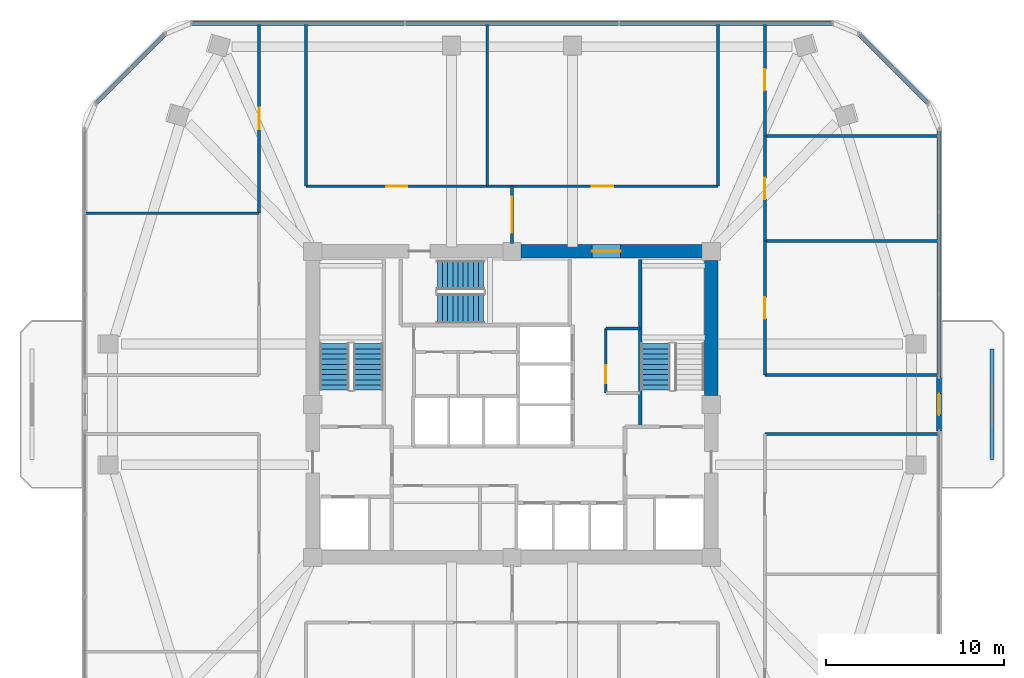
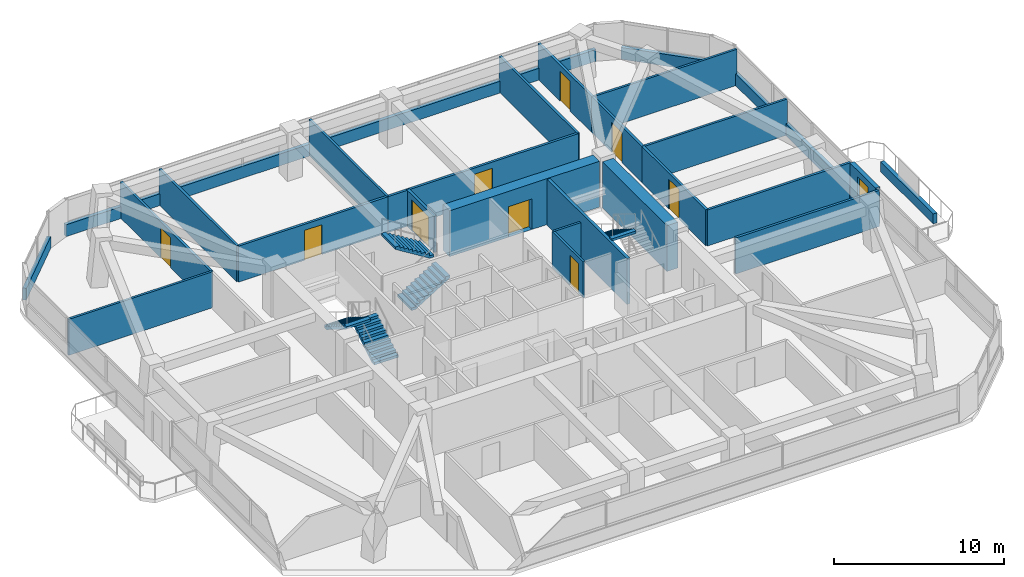
# One storey, part 11 of 14: 26 walls, 10 doors, 5 stair flights, 10 openings, 3 elements without a shape of their own.
"""IFC4 building model written with IfcOpenShell, lengths in metres."""

import ifcopenshell
import ifcopenshell.guid

model = None  # the IFC model being written
_history = None  # IfcOwnerHistory: only IFC2X3 demands one
_inside = {}  # id of a spatial element -> (the spatial element, [elements in it])
_under = {}  # id of a project, library or spatial element -> (it, [spatial elements below it])
_declared = {}  # id of a project -> (the project, [libraries it declares])
_typed = {}  # id of a type object -> (the type object, [elements of that type])
_made_of = {}  # id of a material, layer set ... -> (it, [elements and type objects made of it])


def new_model(schema):
    """Start an empty IFC model of exactly this schema.

    Asked for "IFC4X3", IfcOpenShell would pick the latest addendum, in which some entities
    have other attributes; the version numbers below select the first issue.
    IFC2X3 requires an IfcOwnerHistory on every rooted entity: one is made here for all.
    """
    global model, _history
    if schema == "IFC4X3":
        model = ifcopenshell.file(schema_version=(4, 3, 0, 0))
    else:
        model = ifcopenshell.file(schema=schema)
    _inside.clear()
    _under.clear()
    _declared.clear()
    _typed.clear()
    _made_of.clear()
    _history = None
    if model.schema == "IFC2X3":
        org = make("IfcOrganization", Name="unknown")
        user = make(
            "IfcPersonAndOrganization",
            ThePerson=make("IfcPerson", FamilyName="unknown"),
            TheOrganization=org,
        )
        app = make(
            "IfcApplication",
            ApplicationDeveloper=org,
            Version="unknown",
            ApplicationFullName="unknown",
            ApplicationIdentifier="unknown",
        )
        _history = make(
            "IfcOwnerHistory",
            OwningUser=user,
            OwningApplication=app,
            ChangeAction="ADDED",
            CreationDate=0,
        )
    return model


def make(cls, **values):
    """One entity of the class cls with the attributes given. An attribute that is None is left unset."""
    return model.create_entity(
        cls, **{name: value for name, value in values.items() if value is not None}
    )


def rooted(cls, **values):
    """An entity with a GlobalId (a new one), such as an element, a storey or a relation."""
    return make(cls, GlobalId=ifcopenshell.guid.new(), OwnerHistory=_history, **values)


def si_unit(unit_type, name, prefix=None):
    """IfcSIUnit, for example si_unit("LENGTHUNIT", "METRE", prefix="MILLI")."""
    return make("IfcSIUnit", UnitType=unit_type, Prefix=prefix, Name=name)


def derived_unit(unit_type, elements):
    """IfcDerivedUnit: a product of units, each with its exponent."""
    return make(
        "IfcDerivedUnit",
        Elements=[
            make("IfcDerivedUnitElement", Unit=unit, Exponent=power)
            for unit, power in elements
        ],
        UnitType=unit_type,
    )


def assignment(units):
    """IfcUnitAssignment: the units of a project."""
    return None if units is None else make("IfcUnitAssignment", Units=units)


def point(xyz):
    """IfcCartesianPoint."""
    return None if xyz is None else make("IfcCartesianPoint", Coordinates=xyz)


def direction(xyz):
    """IfcDirection."""
    return None if xyz is None else make("IfcDirection", DirectionRatios=xyz)


def frame(location, z_axis=None, x_axis=None):
    """IfcAxis2Placement3D, a coordinate frame: its origin and axes. An axis left out is left unset."""
    return make(
        "IfcAxis2Placement3D",
        Location=point(location),
        Axis=direction(z_axis),
        RefDirection=direction(x_axis),
    )


def frame_2d(location, x_axis=None):
    """IfcAxis2Placement2D, a coordinate frame in the plane: its origin and x axis."""
    return make(
        "IfcAxis2Placement2D", Location=point(location), RefDirection=direction(x_axis)
    )


def origin():
    """The frame at (0, 0, 0) with its axes left unset."""
    return frame((0.0, 0.0, 0.0))


def place(relative_to, where):
    """IfcLocalPlacement: puts the frame where relative to a parent placement (None: the world)."""
    return make(
        "IfcLocalPlacement", PlacementRelTo=relative_to, RelativePlacement=where
    )


def context(
    kind, dimensions, precision=None, world=None, true_north=None, identifier=None
):
    """IfcGeometricRepresentationContext, for example the 3D "Model" context."""
    return make(
        "IfcGeometricRepresentationContext",
        ContextIdentifier=identifier,
        ContextType=kind,
        CoordinateSpaceDimension=dimensions,
        Precision=precision,
        WorldCoordinateSystem=world,
        TrueNorth=true_north,
    )


def subcontext(parent, identifier, kind, view, scale=None):
    """IfcGeometricRepresentationSubContext, for example "Body" below "Model"."""
    return make(
        "IfcGeometricRepresentationSubContext",
        ContextIdentifier=identifier,
        ContextType=kind,
        ParentContext=parent,
        TargetScale=scale,
        TargetView=view,
    )


def project(units=None, contexts=None):
    """IfcProject with its units and contexts."""
    return rooted(
        "IfcProject",
        Name="project",
        RepresentationContexts=contexts,
        UnitsInContext=assignment(units),
    )


def spatial(cls, under=None, at=None, **own):
    """A site, building, storey or space (cls), placed at a placement, below another one or the project."""
    s = rooted(cls, ObjectPlacement=at, **own)
    if under is not None:
        _under.setdefault(under.id(), (under, []))[1].append(s)
    return s


def polyline(points):
    """IfcPolyline through the points."""
    return make("IfcPolyline", Points=[point(p) for p in points])


def profile(cls, at=None, kind="AREA", **sizes):
    """A parametric profile (cls). Its sizes go by their IFC names, for example OverallWidth=200.0."""
    return make(cls, ProfileType=kind, Position=at, **sizes)


def rectangle(**sizes):
    """IfcRectangleProfileDef."""
    return profile("IfcRectangleProfileDef", **sizes)


def outline(outer, holes=None, kind="AREA"):
    """IfcArbitraryClosedProfileDef: a profile drawn as a closed curve; with holes, ...WithVoids."""
    if holes is None:
        return make("IfcArbitraryClosedProfileDef", ProfileType=kind, OuterCurve=outer)
    return make(
        "IfcArbitraryProfileDefWithVoids",
        ProfileType=kind,
        OuterCurve=outer,
        InnerCurves=holes,
    )


def extrude(swept, where, along, depth):
    """IfcExtrudedAreaSolid: the profile swept, set in the frame where, extruded along a direction by depth."""
    return make(
        "IfcExtrudedAreaSolid",
        SweptArea=swept,
        Position=where,
        ExtrudedDirection=direction(along),
        Depth=depth,
    )


def shape(context_of_items, identifier, shape_type, items):
    """IfcShapeRepresentation: the items that make up one representation, for example the "Body"."""
    return make(
        "IfcShapeRepresentation",
        ContextOfItems=context_of_items,
        RepresentationIdentifier=identifier,
        RepresentationType=shape_type,
        Items=items,
    )


def material(Name=None, Category=None):
    """IfcMaterial."""
    return make("IfcMaterial", Name=Name, Category=Category)


def layer(
    of_material, thickness, ventilated=None, Name=None, Category=None, Priority=None
):
    """IfcMaterialLayer: one layer of a wall or slab, of a material (None: an air gap)."""
    return make(
        "IfcMaterialLayer",
        Material=of_material,
        LayerThickness=thickness,
        IsVentilated=ventilated,
        Name=Name,
        Category=Category,
        Priority=Priority,
    )


def layer_set(layers, Name=None):
    """IfcMaterialLayerSet."""
    return make("IfcMaterialLayerSet", MaterialLayers=layers, LayerSetName=Name)


def made_of(thing, what):
    """Note that an element or type object is made of a material, layer set ...; save() writes the relation."""
    if what is not None:
        _made_of.setdefault(what.id(), (what, []))[1].append(thing)
    return thing


def type_object(cls, material=None, **own):
    """A type object (cls), such as IfcWallType, which elements share."""
    return made_of(rooted(cls, **own), material)


def element(
    cls,
    number,
    at=None,
    inside=None,
    cuts=None,
    type_object=None,
    material=None,
    context=None,
    identifier="Body",
    shape_type=None,
    held_by="IfcProductDefinitionShape",
    body=None,
    shapes=None,
    **own,
):
    """One element of the class cls, such as IfcWall. Its Tag is "e" and its number.

    at: its placement. inside: the storey or other place that contains it. cuts: it is an
    opening in that element (IfcRelVoidsElement). A single representation is given by context,
    identifier, shape_type and body (its items); several are given by shapes. held_by: the class
    of the entity that holds the representations. save() writes the other relations.
    """
    e = rooted(cls, Tag="e%d" % number, ObjectPlacement=at, **own)
    if body is not None:
        shapes = [shape(context, identifier, shape_type, body)]
    if shapes is not None:
        e.Representation = make(held_by, Representations=shapes)
    if inside is not None:
        _inside.setdefault(inside.id(), (inside, []))[1].append(e)
    if cuts is not None:
        rooted(
            "IfcRelVoidsElement", RelatingBuildingElement=cuts, RelatedOpeningElement=e
        )
    if type_object is not None:
        _typed.setdefault(type_object.id(), (type_object, []))[1].append(e)
    return made_of(e, material)


def fill(opening, filler):
    """IfcRelFillsElement: the door or window that sits in an opening."""
    return rooted(
        "IfcRelFillsElement",
        RelatingOpeningElement=opening,
        RelatedBuildingElement=filler,
    )


def aggregate(whole, parts):
    """IfcRelAggregates: a whole, such as a stair, and the parts it consists of."""
    return rooted("IfcRelAggregates", RelatingObject=whole, RelatedObjects=parts)


def save(model, path):
    """Write the relations noted so far, then the file.

    IfcRelAggregates (storeys below a building ...), IfcRelContainedInSpatialStructure (elements
    in a storey), IfcRelDefinesByType, IfcRelAssociatesMaterial and IfcRelDeclares: one each for
    every whole, place, type object, material and project.
    """
    for whole, parts in _under.values():
        aggregate(whole, parts)
    for where, things in _inside.values():
        rooted(
            "IfcRelContainedInSpatialStructure",
            RelatedElements=things,
            RelatingStructure=where,
        )
    for kind, things in _typed.values():
        rooted("IfcRelDefinesByType", RelatedObjects=things, RelatingType=kind)
    for what, things in _made_of.values():
        rooted("IfcRelAssociatesMaterial", RelatedObjects=things, RelatingMaterial=what)
    for by, libraries in _declared.values():
        rooted("IfcRelDeclares", RelatingContext=by, RelatedDefinitions=libraries)
    model.write(path)


model = new_model("IFC4")

# Units and contexts
model_context = context("Model", 3, precision=1e-05, world=origin(), true_north=direction((0.0, 1.0)))
body_context = subcontext(model_context, "Body", "Model", "MODEL_VIEW")
ifc_project = project(units=[si_unit("LENGTHUNIT", "METRE"), si_unit("AREAUNIT", "SQUARE_METRE"), si_unit("VOLUMEUNIT", "CUBIC_METRE"), si_unit("PLANEANGLEUNIT", "RADIAN"), si_unit("MASSUNIT", "GRAM", prefix="KILO"), derived_unit("THERMALTRANSMITTANCEUNIT", [(si_unit("POWERUNIT", "WATT"), 1), (si_unit("LENGTHUNIT", "METRE"), -2), (si_unit("THERMODYNAMICTEMPERATUREUNIT", "KELVIN"), -1)])], contexts=[model_context])

# Site, building, storey
site_placement = place(None, origin())
site = spatial("IfcSite", under=ifc_project, at=site_placement, CompositionType="ELEMENT")
building_placement = place(site_placement, origin())
building = spatial("IfcBuilding", under=site, at=building_placement, Name="Koralith Skygarden Medical Center", CompositionType="ELEMENT")
storey_placement = place(building_placement, frame((0.0, 0.0, 120.780029296875)))
storey = spatial("IfcBuildingStorey", under=building, at=storey_placement, Name="L31", CompositionType="ELEMENT", Elevation=120.780029296875)

# Wall, opening, door
ifc_material_1 = material(Name="Gypsum Board Partition")
ifc_layer_1 = layer(ifc_material_1, 0.14990234375)
ifc_layer_set_1 = layer_set([ifc_layer_1], Name="Gypsum Board Partition")
wall_type_1 = type_object("IfcWallType", Name="Clinical Acoustic Partition 150", PredefinedType="PARTITIONING", material=ifc_layer_set_1)
wall_1_placement = place(storey_placement, frame((42.27001953125, 26.5400390625, 0.0), z_axis=(0.0, 0.0, 1.0), x_axis=(0.0, 1.0, 0.0)))
wall_1 = element("IfcWall", 1, at=wall_1_placement, inside=storey, type_object=wall_type_1, Name="L31 Clinical Acoustic Partition 150 W-CORE-L31-ESUB-W", PredefinedType="PARTITIONING", context=body_context, shape_type="SweptSolid", body=[
    extrude(rectangle(XDim=3.619873046875, YDim=0.14990234375, at=frame_2d((1.81005859375, 0.0))), origin(), (0.0, 0.0, 1.0), 2.590087890625),
])
opening_1_placement = place(wall_1_placement, frame((0.550048828125, 0.0, 0.0)))
opening_1 = element("IfcOpeningElement", 2, at=opening_1_placement, cuts=wall_1, Name="Opening D-SUP", PredefinedType="OPENING", context=body_context, shape_type="SweptSolid", body=[
    extrude(rectangle(XDim=1.0, YDim=2.14990234375, at=frame_2d((0.5, 1.074951171875))), frame((0.0, 0.0849609375, 0.0), z_axis=(0.0, -1.0, 0.0), x_axis=(1.0, 0.0, 0.0)), (0.0, 0.0, 1.0), 0.169921875),
])
ifc_material_2 = material(Name="Aluminium 6063-T6", Category="aluminium")
door_type_1 = type_object("IfcDoorType", Name="Clinical Support Door D-SUP 1000", OperationType="NOTDEFINED", PredefinedType="DOOR", material=ifc_material_2)
door_1_placement = place(opening_1_placement, origin())
door_1 = element("IfcDoor", 3, at=door_1_placement, inside=storey, type_object=door_type_1, Name="L31 Core Equipment Store Door", OperationType="SINGLE_SWING_LEFT", OverallHeight=2.14990234375, OverallWidth=1.0, PredefinedType="DOOR", context=body_context, shape_type="SweptSolid", body=[
    extrude(rectangle(XDim=1.0, YDim=2.14990234375, at=frame_2d((0.5, 1.074951171875))), frame((0.0, 0.02490234375, 0.0), z_axis=(0.0, -1.0, 0.0), x_axis=(1.0, 0.0, 0.0)), (0.0, 0.0, 1.0), 0.050048828125),
])
fill(opening_1, door_1)

# Walls
wall_2_placement = place(storey_placement, frame((42.27001953125, 30.159912109375, 0.0), z_axis=(0.0, 0.0, 1.0), x_axis=(1.0, 0.0, 0.0)))
element("IfcWall", 4, at=wall_2_placement, inside=storey, type_object=wall_type_1, Name="L31 Clinical Acoustic Partition 150 W-CORE-L31-ESUB-N", PredefinedType="PARTITIONING", context=body_context, shape_type="SweptSolid", body=[
    extrude(rectangle(XDim=1.929931640625, YDim=0.14990234375, at=frame_2d((0.96484375, 0.0))), origin(), (0.0, 0.0, 1.0), 2.590087890625),
])
wall_3_placement = place(storey_placement, frame((35.613037109375, 38.159912109375, 0.0), z_axis=(0.0, 0.0, 1.0), x_axis=(0.0, 1.0, 0.0)))
element("IfcWall", 5, at=wall_3_placement, inside=storey, type_object=wall_type_1, Name="L31 Clinical Acoustic Partition 150 W-PART-L31-N-01", PredefinedType="PARTITIONING", context=body_context, shape_type="SweptSolid", body=[
    extrude(rectangle(XDim=9.14306640625, YDim=0.14990234375, at=frame_2d((4.571533203125, 0.0))), origin(), (0.0, 0.0, 1.0), 2.590087890625),
])
for number, where, z_axis, x_axis, name in (
    (6, (22.7900390625, 36.64208984375, 0.0), (0.0, 0.0, 1.0), (-1.0, 0.0, 0.0), "L31 Clinical Acoustic Partition 150 W-PART-L31-WN-01"),
    (7, (51.2099609375, 35.077880859375, 0.0), (0.0, 0.0, 1.0), (1.0, 0.0, 0.0), "L31 Clinical Acoustic Partition 150 W-PART-L31-EN-01"),
    (8, (51.2099609375, 40.985107421875, 0.0), (0.0, 0.0, 1.0), (1.0, 0.0, 0.0), "L31 Clinical Acoustic Partition 150 W-PART-L31-EN-02"),
):
    element("IfcWall", number, at=place(storey_placement, frame(where, z_axis=z_axis, x_axis=x_axis)), inside=storey, type_object=wall_type_1, Name=name, PredefinedType="PARTITIONING", context=body_context, shape_type="SweptSolid", body=[
        extrude(rectangle(XDim=9.77001953125, YDim=0.14990234375, at=frame_2d((4.885009765625, 0.0))), origin(), (0.0, 0.0, 1.0), 2.590087890625),
    ])
ifc_layer_2 = layer(ifc_material_1, 0.1650390625)
ifc_layer_set_2 = layer_set([ifc_layer_2], Name="Gypsum Board Partition")
wall_type_2 = type_object("IfcWallType", Name="Clinical Corridor Partition 165", PredefinedType="PARTITIONING", material=ifc_layer_set_2)
for number, where, z_axis, x_axis, name in (
    (9, (25.429931640625, 38.159912109375, 0.0), (0.0, 0.0, 1.0), (0.0, 1.0, 0.0), "L31 Clinical Corridor Partition 165 W-HCOR-L31-NW"),
    (10, (48.570068359375, 38.159912109375, 0.0), (0.0, 0.0, 1.0), (0.0, 1.0, 0.0), "L31 Clinical Corridor Partition 165 W-HCOR-L31-NE"),
):
    element("IfcWall", number, at=place(storey_placement, frame(where, z_axis=z_axis, x_axis=x_axis)), inside=storey, type_object=wall_type_2, Name=name, PredefinedType="PARTITIONING", context=body_context, shape_type="SweptSolid", body=[
        extrude(rectangle(XDim=9.14306640625, YDim=0.1650390625, at=frame_2d((4.571533203125, 0.0))), origin(), (0.0, 0.0, 1.0), 2.590087890625),
    ])
for number, where, z_axis, x_axis, name in (
    (11, (51.2099609375, 24.239990234375, 0.0), (0.0, 0.0, 1.0), (1.0, 0.0, 0.0), "L31 Clinical Corridor Partition 165 W-HCOR-L31-EWS-E"),
    (12, (51.2099609375, 27.56005859375, 0.0), (0.0, 0.0, 1.0), (1.0, 0.0, 0.0), "L31 Clinical Corridor Partition 165 W-HCOR-L31-EWN-E"),
):
    element("IfcWall", number, at=place(storey_placement, frame(where, z_axis=z_axis, x_axis=x_axis)), inside=storey, type_object=wall_type_2, Name=name, PredefinedType="PARTITIONING", context=body_context, shape_type="SweptSolid", body=[
        extrude(rectangle(XDim=9.77001953125, YDim=0.1650390625, at=frame_2d((4.885009765625, 0.0))), origin(), (0.0, 0.0, 1.0), 2.590087890625),
    ])

# Wall, opening, door
wall_4_placement = place(storey_placement, frame((25.429931640625, 38.159912109375, 0.0), z_axis=(0.0, 0.0, 1.0), x_axis=(1.0, 0.0, 0.0)))
wall_4 = element("IfcWall", 13, at=wall_4_placement, inside=storey, type_object=wall_type_2, Name="L31 Clinical Corridor Partition 165 W-CORR-L31-N-01", PredefinedType="PARTITIONING", context=body_context, shape_type="SweptSolid", body=[
    extrude(rectangle(XDim=10.18310546875, YDim=0.1650390625, at=frame_2d((5.091552734375, 0.0))), origin(), (0.0, 0.0, 1.0), 2.590087890625),
])
opening_2_placement = place(wall_4_placement, frame((4.491943359375, 0.0, 0.0)))
opening_2 = element("IfcOpeningElement", 14, at=opening_2_placement, cuts=wall_4, Name="Opening D-CLN", PredefinedType="OPENING", context=body_context, shape_type="SweptSolid", body=[
    extrude(rectangle(XDim=1.199951171875, YDim=2.14990234375, at=frame_2d((0.60009765625, 1.074951171875))), frame((0.0, 0.092529296875, 0.0), z_axis=(0.0, -1.0, 0.0), x_axis=(1.0, 0.0, 0.0)), (0.0, 0.0, 1.0), 0.18505859375),
])
door_type_2 = type_object("IfcDoorType", Name="Clinical Corridor Door D-CLN 1200", OperationType="NOTDEFINED", PredefinedType="DOOR", material=ifc_material_2)
door_2_placement = place(opening_2_placement, origin())
door_2 = element("IfcDoor", 15, at=door_2_placement, inside=storey, type_object=door_type_2, Name="L31 Telemedicine Consult Office 01 Door", OperationType="SINGLE_SWING_RIGHT", OverallHeight=2.14990234375, OverallWidth=1.199951171875, PredefinedType="DOOR", context=body_context, shape_type="SweptSolid", body=[
    extrude(rectangle(XDim=1.199951171875, YDim=2.14990234375, at=frame_2d((0.60009765625, 1.074951171875))), frame((0.0, 0.02490234375, 0.0), z_axis=(0.0, -1.0, 0.0), x_axis=(1.0, 0.0, 0.0)), (0.0, 0.0, 1.0), 0.050048828125),
])
fill(opening_2, door_2)

wall_5_placement = place(storey_placement, frame((35.613037109375, 38.159912109375, 0.0), z_axis=(0.0, 0.0, 1.0), x_axis=(1.0, 0.0, 0.0)))
wall_5 = element("IfcWall", 16, at=wall_5_placement, inside=storey, type_object=wall_type_2, Name="L31 Clinical Corridor Partition 165 W-CORR-L31-N-02", PredefinedType="PARTITIONING", context=body_context, shape_type="SweptSolid", body=[
    extrude(rectangle(XDim=12.95703125, YDim=0.1650390625, at=frame_2d((6.478515625, 0.0))), origin(), (0.0, 0.0, 1.0), 2.590087890625),
])
opening_3_placement = place(wall_5_placement, frame((5.87890625, 0.0, 0.0)))
opening_3 = element("IfcOpeningElement", 17, at=opening_3_placement, cuts=wall_5, Name="Opening D-CLN", PredefinedType="OPENING", context=body_context, shape_type="SweptSolid", body=[
    extrude(rectangle(XDim=1.199951171875, YDim=2.14990234375, at=frame_2d((0.60009765625, 1.074951171875))), frame((0.0, 0.092529296875, 0.0), z_axis=(0.0, -1.0, 0.0), x_axis=(1.0, 0.0, 0.0)), (0.0, 0.0, 1.0), 0.18505859375),
])
door_3_placement = place(opening_3_placement, origin())
door_3 = element("IfcDoor", 18, at=door_3_placement, inside=storey, type_object=door_type_2, Name="L31 Resident Huddle Seminar Room 02 Door", OperationType="SINGLE_SWING_LEFT", OverallHeight=2.14990234375, OverallWidth=1.199951171875, PredefinedType="DOOR", context=body_context, shape_type="SweptSolid", body=[
    extrude(rectangle(XDim=1.199951171875, YDim=2.14990234375, at=frame_2d((0.60009765625, 1.074951171875))), frame((0.0, 0.02490234375, 0.0), z_axis=(0.0, -1.0, 0.0), x_axis=(1.0, 0.0, 0.0)), (0.0, 0.0, 1.0), 0.050048828125),
])
fill(opening_3, door_3)

wall_6_placement = place(storey_placement, frame((22.7900390625, 36.64208984375, 0.0), z_axis=(0.0, 0.0, 1.0), x_axis=(0.0, 1.0, 0.0)))
wall_6 = element("IfcWall", 19, at=wall_6_placement, inside=storey, type_object=wall_type_2, Name="L31 Clinical Corridor Partition 165 W-CORR-L31-WN-02", PredefinedType="PARTITIONING", context=body_context, shape_type="SweptSolid", body=[
    extrude(rectangle(XDim=10.660888671875, YDim=0.1650390625, at=frame_2d((5.33056640625, 0.0))), origin(), (0.0, 0.0, 1.0), 2.590087890625),
])
opening_4_placement = place(wall_6_placement, frame((4.72998046875, 0.0, 0.0)))
opening_4 = element("IfcOpeningElement", 20, at=opening_4_placement, cuts=wall_6, Name="Opening D-CLN", PredefinedType="OPENING", context=body_context, shape_type="SweptSolid", body=[
    extrude(rectangle(XDim=1.199951171875, YDim=2.14990234375, at=frame_2d((0.60009765625, 1.074951171875))), frame((0.0, 0.092529296875, 0.0), z_axis=(0.0, -1.0, 0.0), x_axis=(1.0, 0.0, 0.0)), (0.0, 0.0, 1.0), 0.18505859375),
])
door_4_placement = place(opening_4_placement, frame((1.199951171875, 0.0, 0.0), z_axis=(0.0, 0.0, 1.0), x_axis=(-1.0, 0.0, 0.0)))
door_4 = element("IfcDoor", 21, at=door_4_placement, inside=storey, type_object=door_type_2, Name="L31 Resident Huddle Seminar Room 10 Door", OperationType="SINGLE_SWING_LEFT", OverallHeight=2.14990234375, OverallWidth=1.199951171875, PredefinedType="DOOR", context=body_context, shape_type="SweptSolid", body=[
    extrude(rectangle(XDim=1.199951171875, YDim=2.14990234375, at=frame_2d((0.60009765625, 1.074951171875))), frame((0.0, 0.02490234375, 0.0), z_axis=(0.0, -1.0, 0.0), x_axis=(1.0, 0.0, 0.0)), (0.0, 0.0, 1.0), 0.050048828125),
])
fill(opening_4, door_4)

wall_7_placement = place(storey_placement, frame((51.2099609375, 27.56005859375, 0.0), z_axis=(0.0, 0.0, 1.0), x_axis=(0.0, 1.0, 0.0)))
wall_7 = element("IfcWall", 22, at=wall_7_placement, inside=storey, type_object=wall_type_2, Name="L31 Clinical Corridor Partition 165 W-CORR-L31-EN-01", PredefinedType="PARTITIONING", context=body_context, shape_type="SweptSolid", body=[
    extrude(rectangle(XDim=7.517822265625, YDim=0.1650390625, at=frame_2d((3.7587890625, 0.0))), origin(), (0.0, 0.0, 1.0), 2.590087890625),
])
opening_5_placement = place(wall_7_placement, frame((3.158935546875, 0.0, 0.0)))
opening_5 = element("IfcOpeningElement", 23, at=opening_5_placement, cuts=wall_7, Name="Opening D-CLN", PredefinedType="OPENING", context=body_context, shape_type="SweptSolid", body=[
    extrude(rectangle(XDim=1.199951171875, YDim=2.14990234375, at=frame_2d((0.60009765625, 1.074951171875))), frame((0.0, 0.092529296875, 0.0), z_axis=(0.0, -1.0, 0.0), x_axis=(1.0, 0.0, 0.0)), (0.0, 0.0, 1.0), 0.18505859375),
])
door_5_placement = place(opening_5_placement, origin())
door_5 = element("IfcDoor", 24, at=door_5_placement, inside=storey, type_object=door_type_2, Name="L31 Telemedicine Consult Office 13 Door", OperationType="SINGLE_SWING_RIGHT", OverallHeight=2.14990234375, OverallWidth=1.199951171875, PredefinedType="DOOR", context=body_context, shape_type="SweptSolid", body=[
    extrude(rectangle(XDim=1.199951171875, YDim=2.14990234375, at=frame_2d((0.60009765625, 1.074951171875))), frame((0.0, 0.02490234375, 0.0), z_axis=(0.0, -1.0, 0.0), x_axis=(1.0, 0.0, 0.0)), (0.0, 0.0, 1.0), 0.050048828125),
])
fill(opening_5, door_5)

wall_8_placement = place(storey_placement, frame((51.2099609375, 35.077880859375, 0.0), z_axis=(0.0, 0.0, 1.0), x_axis=(0.0, 1.0, 0.0)))
wall_8 = element("IfcWall", 25, at=wall_8_placement, inside=storey, type_object=wall_type_2, Name="L31 Clinical Corridor Partition 165 W-CORR-L31-EN-02", PredefinedType="PARTITIONING", context=body_context, shape_type="SweptSolid", body=[
    extrude(rectangle(XDim=5.9072265625, YDim=0.1650390625, at=frame_2d((2.95361328125, 0.0))), origin(), (0.0, 0.0, 1.0), 2.590087890625),
])
opening_6_placement = place(wall_8_placement, frame((2.35302734375, 0.0, 0.0)))
opening_6 = element("IfcOpeningElement", 26, at=opening_6_placement, cuts=wall_8, Name="Opening D-CLN", PredefinedType="OPENING", context=body_context, shape_type="SweptSolid", body=[
    extrude(rectangle(XDim=1.199951171875, YDim=2.14990234375, at=frame_2d((0.60009765625, 1.074951171875))), frame((0.0, 0.092529296875, 0.0), z_axis=(0.0, -1.0, 0.0), x_axis=(1.0, 0.0, 0.0)), (0.0, 0.0, 1.0), 0.18505859375),
])
door_6_placement = place(opening_6_placement, origin())
door_6 = element("IfcDoor", 27, at=door_6_placement, inside=storey, type_object=door_type_2, Name="L31 Resident Huddle Seminar Room 14 Door", OperationType="SINGLE_SWING_LEFT", OverallHeight=2.14990234375, OverallWidth=1.199951171875, PredefinedType="DOOR", context=body_context, shape_type="SweptSolid", body=[
    extrude(rectangle(XDim=1.199951171875, YDim=2.14990234375, at=frame_2d((0.60009765625, 1.074951171875))), frame((0.0, 0.02490234375, 0.0), z_axis=(0.0, -1.0, 0.0), x_axis=(1.0, 0.0, 0.0)), (0.0, 0.0, 1.0), 0.050048828125),
])
fill(opening_6, door_6)

wall_9_placement = place(storey_placement, frame((51.2099609375, 40.985107421875, 0.0), z_axis=(0.0, 0.0, 1.0), x_axis=(0.0, 1.0, 0.0)))
wall_9 = element("IfcWall", 28, at=wall_9_placement, inside=storey, type_object=wall_type_2, Name="L31 Clinical Corridor Partition 165 W-CORR-L31-EN-03", PredefinedType="PARTITIONING", context=body_context, shape_type="SweptSolid", body=[
    extrude(rectangle(XDim=6.31787109375, YDim=0.1650390625, at=frame_2d((3.158935546875, 0.0))), origin(), (0.0, 0.0, 1.0), 2.590087890625),
])
opening_7_placement = place(wall_9_placement, frame((2.55908203125, 0.0, 0.0)))
opening_7 = element("IfcOpeningElement", 29, at=opening_7_placement, cuts=wall_9, Name="Opening D-CLN", PredefinedType="OPENING", context=body_context, shape_type="SweptSolid", body=[
    extrude(rectangle(XDim=1.199951171875, YDim=2.14990234375, at=frame_2d((0.60009765625, 1.074951171875))), frame((0.0, 0.092529296875, 0.0), z_axis=(0.0, -1.0, 0.0), x_axis=(1.0, 0.0, 0.0)), (0.0, 0.0, 1.0), 0.18505859375),
])
door_7_placement = place(opening_7_placement, origin())
door_7 = element("IfcDoor", 30, at=door_7_placement, inside=storey, type_object=door_type_2, Name="L31 Biomedical Cart Store 15 Door", OperationType="SINGLE_SWING_RIGHT", OverallHeight=2.14990234375, OverallWidth=1.199951171875, PredefinedType="DOOR", context=body_context, shape_type="SweptSolid", body=[
    extrude(rectangle(XDim=1.199951171875, YDim=2.14990234375, at=frame_2d((0.60009765625, 1.074951171875))), frame((0.0, 0.02490234375, 0.0), z_axis=(0.0, -1.0, 0.0), x_axis=(1.0, 0.0, 0.0)), (0.0, 0.0, 1.0), 0.050048828125),
])
fill(opening_7, door_7)

ifc_layer_3 = layer(ifc_material_1, 0.179931640625)
ifc_layer_set_3 = layer_set([ifc_layer_3], Name="Gypsum Board Partition")
wall_type_3 = type_object("IfcWallType", Name="Group I-2 Smoke Barrier Wall 180", PredefinedType="PARTITIONING", material=ifc_layer_set_3)
wall_10_placement = place(storey_placement, frame((37.0, 34.949951171875, 0.0), z_axis=(0.0, 0.0, 1.0), x_axis=(0.0, 1.0, 0.0)))
wall_10 = element("IfcWall", 31, at=wall_10_placement, inside=storey, type_object=wall_type_3, Name="L31 Group I-2 Smoke Barrier Wall 180 W-SMK-L31-N", PredefinedType="PARTITIONING", context=body_context, shape_type="SweptSolid", body=[
    extrude(rectangle(XDim=3.2099609375, YDim=0.179931640625, at=frame_2d((1.60498046875, 0.0))), origin(), (0.0, 0.0, 1.0), 2.590087890625),
])
opening_8_placement = place(wall_10_placement, frame((0.60498046875, 0.0, 0.0)))
opening_8 = element("IfcOpeningElement", 32, at=opening_8_placement, cuts=wall_10, Name="Opening D-SMK", PredefinedType="OPENING", context=body_context, shape_type="SweptSolid", body=[
    extrude(rectangle(XDim=2.0, YDim=2.199951171875, at=frame_2d((1.0, 1.10009765625))), frame((0.0, 0.099853515625, 0.0), z_axis=(0.0, -1.0, 0.0), x_axis=(1.0, 0.0, 0.0)), (0.0, 0.0, 1.0), 0.199951171875),
])
ifc_material_3 = material(Name="Steel ASTM A500 Grade C", Category="steel")
door_type_3 = type_object("IfcDoorType", Name="Cross-Corridor Double Smoke Door FD60S 2000", OperationType="NOTDEFINED", PredefinedType="DOOR", material=ifc_material_3)
door_8_placement = place(opening_8_placement, origin())
door_8 = element("IfcDoor", 33, at=door_8_placement, inside=storey, type_object=door_type_3, Name="L31 N Smoke Compartment Cross-Corridor Door", OperationType="DOUBLE_DOOR_SINGLE_SWING", OverallHeight=2.199951171875, OverallWidth=2.0, PredefinedType="DOOR", context=body_context, shape_type="SweptSolid", body=[
    extrude(rectangle(XDim=2.0, YDim=2.199951171875, at=frame_2d((1.0, 1.10009765625))), frame((0.0, 0.02490234375, 0.0), z_axis=(0.0, -1.0, 0.0), x_axis=(1.0, 0.0, 0.0)), (0.0, 0.0, 1.0), 0.050048828125),
])
fill(opening_8, door_8)

# Walls
ifc_material_4 = material(Name="Warm Oolitic Limestone Cladding", Category="masonry")
ifc_layer_4 = layer(ifc_material_4, 0.239990234375)
ifc_layer_set_4 = layer_set([ifc_layer_4], Name="Warm Oolitic Limestone Cladding")
wall_type_4 = type_object("IfcWallType", Name="Limestone Spandrel Sill Backup Wall 240", PredefinedType="SOLIDWALL", material=ifc_layer_set_4)
wall_11_placement = place(storey_placement, frame((60.9990234375, 27.43994140625, 0.0), z_axis=(0.0, 0.0, 1.0), x_axis=(0.0, 1.0, 0.0)))
element("IfcWall", 34, at=wall_11_placement, inside=storey, type_object=wall_type_4, Name="L31 Sill Spandrel E-R", PredefinedType="SOLIDWALL", context=body_context, shape_type="SweptSolid", body=[
    extrude(rectangle(XDim=13.907958984375, YDim=0.239990234375, at=frame_2d((6.9541015625, 0.0))), origin(), (0.0, 0.0, 1.0), 0.849853515625),
])
wall_12_placement = place(storey_placement, frame((60.39794921875, 42.799072265625, 0.0), z_axis=(0.0, 0.0, 1.0), x_axis=(-0.707106781187, 0.707106781187, 0.0)))
element("IfcWall", 35, at=wall_12_placement, inside=storey, type_object=wall_type_4, Name="L31 Sill Spandrel NE", PredefinedType="SOLIDWALL", context=body_context, shape_type="SweptSolid", body=[
    extrude(rectangle(XDim=5.5478515625, YDim=0.239990234375, at=frame_2d((2.77392578125, 0.0))), origin(), (0.0, 0.0, 1.0), 0.849853515625),
])
wall_13_placement = place(storey_placement, frame((55.02392578125, 47.322998046875, 0.0), z_axis=(0.0, 0.0, 1.0), x_axis=(-1.0, 0.0, 0.0)))
element("IfcWall", 36, at=wall_13_placement, inside=storey, type_object=wall_type_4, Name="L31 Sill Spandrel N", PredefinedType="SOLIDWALL", context=body_context, shape_type="SweptSolid", body=[
    extrude(rectangle(XDim=36.0478515625, YDim=0.239990234375, at=frame_2d((18.02392578125, 0.0))), origin(), (0.0, 0.0, 1.0), 0.849853515625),
])
wall_14_placement = place(storey_placement, frame((17.52490234375, 46.721923828125, 0.0), z_axis=(0.0, 0.0, 1.0), x_axis=(-0.707106781187, -0.707106781187, 0.0)))
element("IfcWall", 37, at=wall_14_placement, inside=storey, type_object=wall_type_4, Name="L31 Sill Spandrel NW", PredefinedType="SOLIDWALL", context=body_context, shape_type="SweptSolid", body=[
    extrude(rectangle(XDim=5.5478515625, YDim=0.239990234375, at=frame_2d((2.77392578125, 0.0))), origin(), (0.0, 0.0, 1.0), 0.849853515625),
])
ifc_material_5 = material(Name="Concrete C70/85", Category="concrete")
ifc_layer_5 = layer(ifc_material_5, 0.75)
ifc_layer_set_5 = layer_set([ifc_layer_5], Name="Concrete C70/85")
wall_type_5 = type_object("IfcWallType", Name="Mid Core Shear Wall 750", PredefinedType="SHEAR", material=ifc_layer_set_5)
wall_15_placement = place(storey_placement, frame((48.199951171875, 26.405029296875, 0.0), z_axis=(0.0, 0.0, 1.0), x_axis=(0.0, 1.0, 0.0)))
element("IfcWall", 38, at=wall_15_placement, inside=storey, type_object=wall_type_5, Name="L31 Core Shear Wall Segment 4", PredefinedType="SHEAR", context=body_context, shape_type="SweptSolid", body=[
    extrude(rectangle(XDim=7.590087890625, YDim=0.75, at=frame_2d((3.794921875, 0.0))), origin(), (0.0, 0.0, 1.0), 3.300048828125),
])

# Wall, opening, door
wall_16_placement = place(storey_placement, frame((47.695068359375, 34.5, 0.0), z_axis=(0.0, 0.0, 1.0), x_axis=(-1.0, 0.0, 0.0)))
wall_16 = element("IfcWall", 39, at=wall_16_placement, inside=storey, type_object=wall_type_5, Name="L31 Core Shear Wall Segment 5", PredefinedType="SHEAR", context=body_context, shape_type="SweptSolid", body=[
    extrude(rectangle(XDim=10.190185546875, YDim=0.75, at=frame_2d((5.09521484375, 0.0))), origin(), (0.0, 0.0, 1.0), 3.300048828125),
])
opening_9_placement = place(wall_16_placement, frame((4.594970703125, 0.0, 0.0)))
opening_9 = element("IfcOpeningElement", 40, at=opening_9_placement, cuts=wall_16, Name="Opening D-DBL", PredefinedType="OPENING", context=body_context, shape_type="SweptSolid", body=[
    extrude(rectangle(XDim=1.60009765625, YDim=2.199951171875, at=frame_2d((0.800048828125, 1.10009765625))), frame((0.0, 0.385009765625, 0.0), z_axis=(0.0, -1.0, 0.0), x_axis=(1.0, 0.0, 0.0)), (0.0, 0.0, 1.0), 0.77001953125),
])
door_type_4 = type_object("IfcDoorType", Name="Double Clinical Suite Door D-DBL 1600", OperationType="NOTDEFINED", PredefinedType="DOOR", material=ifc_material_2)
door_9_placement = place(opening_9_placement, frame((1.60009765625, 0.0, 0.0), z_axis=(0.0, 0.0, 1.0), x_axis=(-1.0, 0.0, 0.0)))
door_9 = element("IfcDoor", 41, at=door_9_placement, inside=storey, type_object=door_type_4, Name="L31 North-East Corridor to Elevator Lobby Door", OperationType="DOUBLE_DOOR_SINGLE_SWING", OverallHeight=2.199951171875, OverallWidth=1.60009765625, PredefinedType="DOOR", context=body_context, shape_type="SweptSolid", body=[
    extrude(rectangle(XDim=1.60009765625, YDim=2.199951171875, at=frame_2d((0.800048828125, 1.10009765625))), frame((0.0, 0.02490234375, 0.0), z_axis=(0.0, -1.0, 0.0), x_axis=(1.0, 0.0, 0.0)), (0.0, 0.0, 1.0), 0.050048828125),
])
fill(opening_9, door_9)

ifc_layer_6 = layer(ifc_material_4, 0.300048828125)
ifc_layer_set_6 = layer_set([ifc_layer_6], Name="Warm Oolitic Limestone Cladding")
wall_type_6 = type_object("IfcWallType", Name="Oolitic Limestone Insulated Facade Wall 300", PredefinedType="SOLIDWALL", material=ifc_layer_set_6)
wall_17_placement = place(storey_placement, frame((60.9990234375, 24.39990234375, 0.0), z_axis=(0.0, 0.0, 1.0), x_axis=(0.0, 1.0, 0.0)))
wall_17 = element("IfcWall", 42, at=wall_17_placement, inside=storey, type_object=wall_type_6, Name="L31 Terrace Portal Wall E", PredefinedType="SOLIDWALL", context=body_context, shape_type="SweptSolid", body=[
    extrude(rectangle(XDim=3.0, YDim=0.300048828125, at=frame_2d((1.5, 0.0))), origin(), (0.0, 0.0, 1.0), 2.64990234375),
])
opening_10_placement = place(wall_17_placement, frame((0.89990234375, 0.0, 0.0)))
opening_10 = element("IfcOpeningElement", 43, at=opening_10_placement, cuts=wall_17, Name="Opening D-BAL", PredefinedType="OPENING", context=body_context, shape_type="SweptSolid", body=[
    extrude(rectangle(XDim=1.199951171875, YDim=2.199951171875, at=frame_2d((0.60009765625, 1.10009765625))), frame((0.0, 0.159912109375, 0.0), z_axis=(0.0, -1.0, 0.0), x_axis=(1.0, 0.0, 0.0)), (0.0, 0.0, 1.0), 0.320068359375),
])
door_type_5 = type_object("IfcDoorType", Name="Planted Balcony Glazed Terrace Door D-BAL 1200", OperationType="NOTDEFINED", PredefinedType="DOOR", material=ifc_material_2)
door_10_placement = place(opening_10_placement, origin())
door_10 = element("IfcDoor", 44, at=door_10_placement, inside=storey, type_object=door_type_5, Name="L31 E Outdoor Terrace Access Door", OperationType="SINGLE_SWING_RIGHT", OverallHeight=2.199951171875, OverallWidth=1.199951171875, PredefinedType="DOOR", context=body_context, shape_type="SweptSolid", body=[
    extrude(rectangle(XDim=1.199951171875, YDim=2.199951171875, at=frame_2d((0.60009765625, 1.10009765625))), frame((0.0, 0.02490234375, 0.0), z_axis=(0.0, -1.0, 0.0), x_axis=(1.0, 0.0, 0.0)), (0.0, 0.0, 1.0), 0.050048828125),
])
fill(opening_10, door_10)

# Walls
ifc_material_6 = material(Name="Precast concrete C40/50", Category="concrete")
ifc_layer_7 = layer(ifc_material_6, 0.25)
ifc_layer_set_7 = layer_set([ifc_layer_7], Name="Precast concrete C40/50")
wall_type_7 = type_object("IfcWallType", Name="Structural Concrete Balcony Planter Kerb 250", PredefinedType="PARAPET", material=ifc_layer_set_7)
wall_18_placement = place(storey_placement, frame((63.97998046875, 22.800048828125, 0.0), z_axis=(0.0, 0.0, 1.0), x_axis=(0.0, 1.0, 0.0)))
element("IfcWall", 45, at=wall_18_placement, inside=storey, type_object=wall_type_7, Name="L31 E Structural Tree PLANTER Box", PredefinedType="PARAPET", context=body_context, shape_type="SweptSolid", body=[
    extrude(rectangle(XDim=6.199951171875, YDim=0.25, at=frame_2d((3.10009765625, 0.0))), origin(), (0.0, 0.0, 1.0), 0.719970703125),
])
ifc_material_7 = material(Name="Concrete C45/55", Category="concrete")
ifc_layer_8 = layer(ifc_material_7, 0.199951171875)
ifc_layer_set_8 = layer_set([ifc_layer_8], Name="Concrete C45/55")
wall_type_8 = type_object("IfcWallType", Name="Structural Stair Shaft Wall 200", PredefinedType="SHEAR", material=ifc_layer_set_8)
wall_19_placement = place(storey_placement, frame((44.199951171875, 24.64990234375, 0.0), z_axis=(0.0, 0.0, 1.0), x_axis=(0.0, 1.0, 0.0)))
element("IfcWall", 46, at=wall_19_placement, inside=storey, type_object=wall_type_8, Name="L31 Structural Stair Shaft Wall 200 W-CORE-L31-ST2-W", PredefinedType="SHEAR", context=body_context, shape_type="SweptSolid", body=[
    extrude(rectangle(XDim=9.400146484375, YDim=0.199951171875, at=frame_2d((4.7001953125, 0.0))), origin(), (0.0, 0.0, 1.0), 3.300048828125),
])

# Stair, stair flights
stair_type = type_object("IfcStairType", Name="Core Exit Dogleg Concrete Stair", PredefinedType="HALF_TURN_STAIR", material=ifc_material_7)
stair_1_placement = place(storey_placement, origin())
stair_1 = element("IfcStair", 47, at=stair_1_placement, inside=storey, type_object=stair_type, Name="L31 Smokeproof Exit Stair ST1", PredefinedType="HALF_TURN_STAIR")
stair_flight_type = type_object("IfcStairFlightType", Name="Core Exit Concrete Stair Flight 1650", PredefinedType="STRAIGHT", material=ifc_material_7)
stair_flight_1_placement = place(storey_placement, frame((28.925048828125, 26.699951171875, 0.0), z_axis=(0.0, 0.0, 1.0), x_axis=(0.0, 1.0, 0.0)))
stair_flight_1 = element("IfcStairFlight", 48, at=stair_flight_1_placement, type_object=stair_flight_type, Name="ST1 flight 1", NumberOfRisers=10, NumberOfTreads=9, PredefinedType="STRAIGHT", RiserHeight=0.18, TreadLength=0.29, context=body_context, shape_type="SweptSolid", body=[
    extrude(outline(polyline([(0.0, 0.0), (0.0, 0.179931640625), (0.2900390625, 0.179931640625), (0.2900390625, 0.360107421875), (0.580078125, 0.360107421875), (0.580078125, 0.5400390625), (0.8701171875, 0.5400390625), (0.8701171875, 0.719970703125), (1.159912109375, 0.719970703125), (1.159912109375, 0.89990234375), (1.449951171875, 0.89990234375), (1.449951171875, 1.080078125), (1.739990234375, 1.080078125), (1.739990234375, 1.260009765625), (2.030029296875, 1.260009765625), (2.030029296875, 1.43994140625), (2.320068359375, 1.43994140625), (2.320068359375, 1.6201171875), (2.610107421875, 1.6201171875), (2.610107421875, 1.800048828125), (2.610107421875, 1.443603515625), (0.2841796875, 0.0), (0.0, 0.0)])), frame((0.0, 0.824951171875, 0.0), z_axis=(0.0, -1.0, 0.0), x_axis=(1.0, 0.0, 0.0)), (0.0, 0.0, 1.0), 1.64990234375),
])
stair_flight_2_placement = place(storey_placement, frame((27.02490234375, 29.31005859375, 1.800048828125), z_axis=(0.0, 0.0, 1.0), x_axis=(0.0, -1.0, 0.0)))
stair_flight_2 = element("IfcStairFlight", 49, at=stair_flight_2_placement, type_object=stair_flight_type, Name="ST1 flight 2", NumberOfRisers=10, NumberOfTreads=9, PredefinedType="STRAIGHT", RiserHeight=0.18, TreadLength=0.29, context=body_context, shape_type="SweptSolid", body=[
    extrude(outline(polyline([(0.0, 0.0), (0.0, 0.179931640625), (0.2900390625, 0.179931640625), (0.2900390625, 0.360107421875), (0.580078125, 0.360107421875), (0.580078125, 0.5400390625), (0.8701171875, 0.5400390625), (0.8701171875, 0.719970703125), (1.159912109375, 0.719970703125), (1.159912109375, 0.89990234375), (1.449951171875, 0.89990234375), (1.449951171875, 1.080078125), (1.739990234375, 1.080078125), (1.739990234375, 1.260009765625), (2.030029296875, 1.260009765625), (2.030029296875, 1.43994140625), (2.320068359375, 1.43994140625), (2.320068359375, 1.6201171875), (2.610107421875, 1.6201171875), (2.610107421875, 1.800048828125), (2.610107421875, 1.443603515625), (0.2841796875, 0.0), (0.0, 0.0)])), frame((0.0, 0.824951171875, 0.0), z_axis=(0.0, -1.0, 0.0), x_axis=(1.0, 0.0, 0.0)), (0.0, 0.0, 1.0), 1.64990234375),
])
aggregate(stair_1, [stair_flight_1, stair_flight_2])

# Stair, stair flight
stair_2_placement = place(storey_placement, origin())
stair_2 = element("IfcStair", 50, at=stair_2_placement, inside=storey, type_object=stair_type, Name="L31 Smokeproof Exit Stair ST2", PredefinedType="HALF_TURN_STAIR")
stair_flight_3_placement = place(storey_placement, frame((45.074951171875, 29.31005859375, 1.800048828125), z_axis=(0.0, 0.0, 1.0), x_axis=(0.0, -1.0, 0.0)))
stair_flight_3 = element("IfcStairFlight", 51, at=stair_flight_3_placement, type_object=stair_flight_type, Name="ST2 flight 2", NumberOfRisers=10, NumberOfTreads=9, PredefinedType="STRAIGHT", RiserHeight=0.18, TreadLength=0.29, context=body_context, shape_type="SweptSolid", body=[
    extrude(outline(polyline([(0.0, 0.0), (0.0, 0.179931640625), (0.2900390625, 0.179931640625), (0.2900390625, 0.360107421875), (0.580078125, 0.360107421875), (0.580078125, 0.5400390625), (0.8701171875, 0.5400390625), (0.8701171875, 0.719970703125), (1.159912109375, 0.719970703125), (1.159912109375, 0.89990234375), (1.449951171875, 0.89990234375), (1.449951171875, 1.080078125), (1.739990234375, 1.080078125), (1.739990234375, 1.260009765625), (2.030029296875, 1.260009765625), (2.030029296875, 1.43994140625), (2.320068359375, 1.43994140625), (2.320068359375, 1.6201171875), (2.610107421875, 1.6201171875), (2.610107421875, 1.800048828125), (2.610107421875, 1.443603515625), (0.2841796875, 0.0), (0.0, 0.0)])), frame((0.0, 0.824951171875, 0.0), z_axis=(0.0, -1.0, 0.0), x_axis=(1.0, 0.0, 0.0)), (0.0, 0.0, 1.0), 1.64990234375),
])
aggregate(stair_2, [stair_flight_3])

# Stair, stair flights
stair_3_placement = place(storey_placement, origin())
stair_3 = element("IfcStair", 52, at=stair_3_placement, inside=storey, type_object=stair_type, Name="L31 Smokeproof Exit Stair ST3", PredefinedType="HALF_TURN_STAIR")
stair_flight_4_placement = place(storey_placement, frame((32.800048828125, 31.27490234375, 0.0), z_axis=(0.0, 0.0, 1.0), x_axis=(1.0, 0.0, 0.0)))
stair_flight_4 = element("IfcStairFlight", 53, at=stair_flight_4_placement, type_object=stair_flight_type, Name="ST3 flight 1", NumberOfRisers=10, NumberOfTreads=9, PredefinedType="STRAIGHT", RiserHeight=0.18, TreadLength=0.29, context=body_context, shape_type="SweptSolid", body=[
    extrude(outline(polyline([(0.0, 0.0), (0.0, 0.179931640625), (0.2900390625, 0.179931640625), (0.2900390625, 0.360107421875), (0.580078125, 0.360107421875), (0.580078125, 0.5400390625), (0.8701171875, 0.5400390625), (0.8701171875, 0.719970703125), (1.159912109375, 0.719970703125), (1.159912109375, 0.89990234375), (1.449951171875, 0.89990234375), (1.449951171875, 1.080078125), (1.739990234375, 1.080078125), (1.739990234375, 1.260009765625), (2.030029296875, 1.260009765625), (2.030029296875, 1.43994140625), (2.320068359375, 1.43994140625), (2.320068359375, 1.6201171875), (2.610107421875, 1.6201171875), (2.610107421875, 1.800048828125), (2.610107421875, 1.443603515625), (0.2841796875, 0.0), (0.0, 0.0)])), frame((0.0, 0.824951171875, 0.0), z_axis=(0.0, -1.0, 0.0), x_axis=(1.0, 0.0, 0.0)), (0.0, 0.0, 1.0), 1.64990234375),
])
stair_flight_5_placement = place(storey_placement, frame((35.409912109375, 33.175048828125, 1.800048828125), z_axis=(0.0, 0.0, 1.0), x_axis=(-1.0, 0.0, 0.0)))
stair_flight_5 = element("IfcStairFlight", 54, at=stair_flight_5_placement, type_object=stair_flight_type, Name="ST3 flight 2", NumberOfRisers=10, NumberOfTreads=9, PredefinedType="STRAIGHT", RiserHeight=0.18, TreadLength=0.29, context=body_context, shape_type="SweptSolid", body=[
    extrude(outline(polyline([(0.0, 0.0), (0.0, 0.179931640625), (0.2900390625, 0.179931640625), (0.2900390625, 0.360107421875), (0.580078125, 0.360107421875), (0.580078125, 0.5400390625), (0.8701171875, 0.5400390625), (0.8701171875, 0.719970703125), (1.159912109375, 0.719970703125), (1.159912109375, 0.89990234375), (1.449951171875, 0.89990234375), (1.449951171875, 1.080078125), (1.739990234375, 1.080078125), (1.739990234375, 1.260009765625), (2.030029296875, 1.260009765625), (2.030029296875, 1.43994140625), (2.320068359375, 1.43994140625), (2.320068359375, 1.6201171875), (2.610107421875, 1.6201171875), (2.610107421875, 1.800048828125), (2.610107421875, 1.443603515625), (0.2841796875, 0.0), (0.0, 0.0)])), frame((0.0, 0.824951171875, 0.0), z_axis=(0.0, -1.0, 0.0), x_axis=(1.0, 0.0, 0.0)), (0.0, 0.0, 1.0), 1.64990234375),
])
aggregate(stair_3, [stair_flight_4, stair_flight_5])

save(model, "model.ifc")
